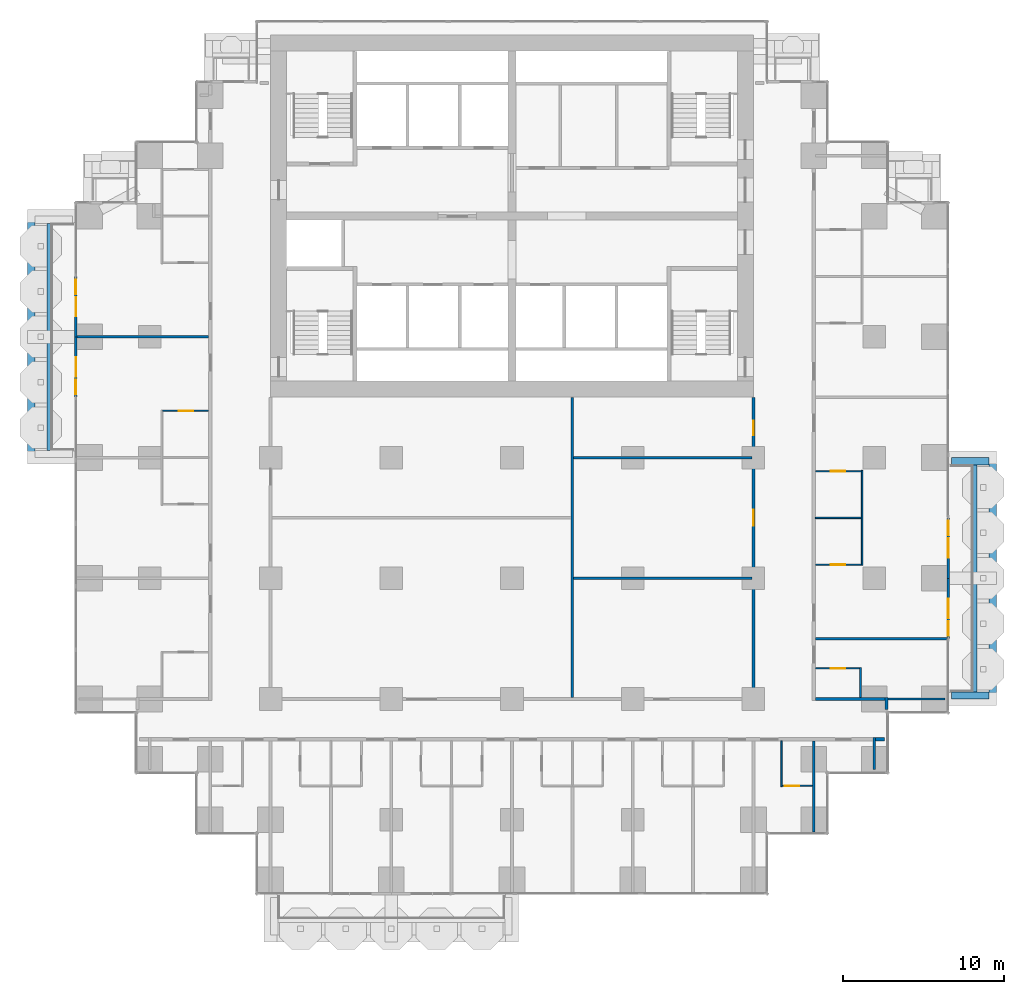
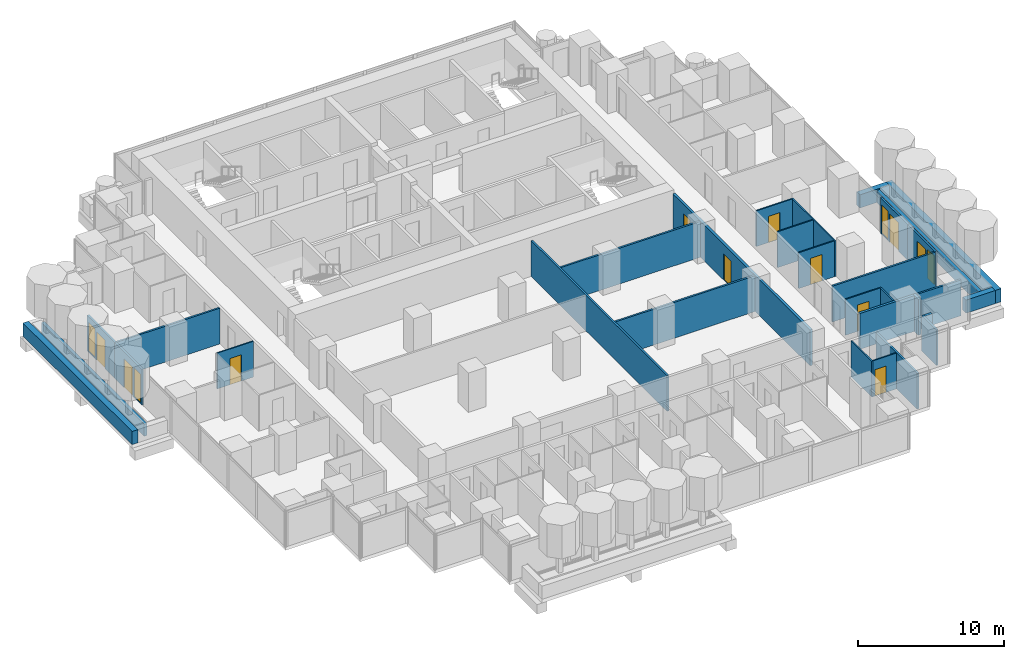
# One storey, part 11 of 17: 31 walls, 11 doors, 4 windows, 15 openings.
"""IFC4 building model written with IfcOpenShell, lengths in metres."""

from ifc_helpers import new_model, si_unit, direction, frame, frame_2d, origin, place, context, subcontext, project, spatial, rectangle, extrude, material, layer, layer_set, type_object, element, fill, save


model = new_model("IFC4")

# Units and contexts
model_context = context("Model", 3, precision=1e-05, world=origin(), true_north=direction((0.0, 1.0)))
body_context = subcontext(model_context, "Body", "Model", "MODEL_VIEW")
ifc_project = project(units=[si_unit("LENGTHUNIT", "METRE"), si_unit("AREAUNIT", "SQUARE_METRE"), si_unit("VOLUMEUNIT", "CUBIC_METRE"), si_unit("PLANEANGLEUNIT", "RADIAN"), si_unit("MASSUNIT", "GRAM", prefix="KILO")], contexts=[model_context])

# Site, building, storey
site_placement = place(None, origin())
site = spatial("IfcSite", under=ifc_project, at=site_placement, CompositionType="ELEMENT")
building_placement = place(site_placement, origin())
building = spatial("IfcBuilding", under=site, at=building_placement, Name="Pilkhan Gate Tower", CompositionType="ELEMENT")
storey_placement = place(building_placement, frame((0.0, 0.0, 49.39990234375)))
storey = spatial("IfcBuildingStorey", under=building, at=storey_placement, Name="L09", CompositionType="ELEMENT", Elevation=49.39990234375)

# Walls
ifc_material_1 = material(Name="Concrete C40/50", Category="concrete")
ifc_layer_1 = layer(ifc_material_1, 0.25)
ifc_layer_set_1 = layer_set([ifc_layer_1], Name="Balcony planter BP250")
wall_type_1 = type_object("IfcWallType", Name="Balcony planter BP250", PredefinedType="USERDEFINED", material=ifc_layer_set_1)
for number, where, z_axis, x_axis, name in (
    (1, (103.77490234375, 52.949951171875, 0.0), (0.0, 0.0, 1.0), (0.0, 1.0, 0.0), "Balcony planter L09 E"),
    (2, (46.22509765625, 67.949951171875, 0.0), (0.0, 0.0, 1.0), (0.0, 1.0, 0.0), "Balcony planter L09 W"),
):
    element("IfcWall", number, at=place(storey_placement, frame(where, z_axis=z_axis, x_axis=x_axis)), inside=storey, type_object=wall_type_1, Name=name, ObjectType="BALCONY PLANTER", PredefinedType="USERDEFINED", context=body_context, shape_type="SweptSolid", body=[
        extrude(rectangle(XDim=14.10009765625, YDim=0.25, at=frame_2d((7.050048828125, 0.0))), origin(), (0.0, 0.0, 1.0), 1.0),
    ])
ifc_material_2 = material(Name="Board-marked Concrete C40/50", Category="concrete")
ifc_layer_2 = layer(ifc_material_2, 0.449951171875)
ifc_layer_set_2 = layer_set([ifc_layer_2], Name="Balcony planter lip BL450")
wall_type_2 = type_object("IfcWallType", Name="Balcony planter lip BL450", PredefinedType="USERDEFINED", material=ifc_layer_set_2)
wall_1_placement = place(storey_placement, frame((104.875, 52.5, 0.0), z_axis=(0.0, 0.0, 1.0), x_axis=(0.0, 1.0, 0.0)))
element("IfcWall", 3, at=wall_1_placement, inside=storey, type_object=wall_type_2, Name="Balcony planter L09 E", ObjectType="BALCONY PLANTER", PredefinedType="USERDEFINED", context=body_context, shape_type="SweptSolid", body=[
    extrude(rectangle(XDim=15.0, YDim=0.449951171875, at=frame_2d((7.5, 0.0))), origin(), (0.0, 0.0, 1.0), 1.10009765625),
])
for number, where, z_axis, x_axis, name in (
    (4, (102.320068359375, 52.72509765625, 0.0), (0.0, 0.0, 1.0), (1.0, 0.0, 0.0), "Balcony planter L09 E"),
    (5, (102.320068359375, 67.27490234375, 0.0), (0.0, 0.0, 1.0), (1.0, 0.0, 0.0), "Balcony planter L09 E"),
):
    element("IfcWall", number, at=place(storey_placement, frame(where, z_axis=z_axis, x_axis=x_axis)), inside=storey, type_object=wall_type_2, Name=name, ObjectType="BALCONY PLANTER", PredefinedType="USERDEFINED", context=body_context, shape_type="SweptSolid", body=[
        extrude(rectangle(XDim=2.329833984375, YDim=0.449951171875, at=frame_2d((1.1650390625, 0.0))), origin(), (0.0, 0.0, 1.0), 1.10009765625),
    ])
wall_2_placement = place(storey_placement, frame((45.125, 67.5, 0.0), z_axis=(0.0, 0.0, 1.0), x_axis=(0.0, 1.0, 0.0)))
element("IfcWall", 6, at=wall_2_placement, inside=storey, type_object=wall_type_2, Name="Balcony planter L09 W", ObjectType="BALCONY PLANTER", PredefinedType="USERDEFINED", context=body_context, shape_type="SweptSolid", body=[
    extrude(rectangle(XDim=15.0, YDim=0.449951171875, at=frame_2d((7.5, 0.0))), origin(), (0.0, 0.0, 1.0), 1.10009765625),
])
ifc_material_3 = material(Name="Dense blockwork", Category="masonry")
ifc_layer_3 = layer(ifc_material_3, 0.199951171875)
ifc_layer_set_3 = layer_set([ifc_layer_3], Name="Corridor wall FW200")
wall_type_3 = type_object("IfcWallType", Name="Corridor wall FW200", PredefinedType="PARTITIONING", material=ifc_layer_set_3)
wall_3_placement = place(storey_placement, frame((97.574951171875, 50.0, 0.0), z_axis=(0.0, 0.0, 1.0), x_axis=(1.0, 0.0, 0.0)))
element("IfcWall", 7, at=wall_3_placement, inside=storey, type_object=wall_type_3, Name="Partition L09", PredefinedType="PARTITIONING", context=body_context, shape_type="SweptSolid", body=[
    extrude(rectangle(XDim=0.570068359375, YDim=0.199951171875, at=frame_2d((0.28515625, 0.0))), origin(), (0.0, 0.0, 1.0), 3.0),
])
wall_4_placement = place(storey_placement, frame((93.85009765625, 52.5, 0.0), z_axis=(0.0, 0.0, 1.0), x_axis=(1.0, 0.0, 0.0)))
element("IfcWall", 8, at=wall_4_placement, inside=storey, type_object=wall_type_3, Name="Partition L09", PredefinedType="PARTITIONING", context=body_context, shape_type="SweptSolid", body=[
    extrude(rectangle(XDim=4.31494140625, YDim=0.199951171875, at=frame_2d((2.157470703125, 0.0))), origin(), (0.0, 0.0, 1.0), 3.0),
])

# Wall, openings, doors
wall_5_placement = place(storey_placement, frame((90.0, 52.39990234375, 0.0), z_axis=(0.0, 0.0, 1.0), x_axis=(0.0, 1.0, 0.0)))
wall_5 = element("IfcWall", 9, at=wall_5_placement, inside=storey, type_object=wall_type_3, Name="Partition L09", PredefinedType="PARTITIONING", context=body_context, shape_type="SweptSolid", body=[
    extrude(rectangle(XDim=18.840087890625, YDim=0.199951171875, at=frame_2d((9.419921875, 0.0))), origin(), (0.0, 0.0, 1.0), 3.0),
])
opening_1_placement = place(wall_5_placement, frame((10.85009765625, 0.0, 0.0)))
opening_1 = element("IfcOpeningElement", 10, at=opening_1_placement, cuts=wall_5, Name="Opening L09-57", PredefinedType="OPENING", context=body_context, shape_type="SweptSolid", body=[
    extrude(rectangle(XDim=1.0, YDim=2.199951171875, at=frame_2d((0.5, 1.10009765625))), frame((0.0, 0.10986328125, 0.0), z_axis=(0.0, -1.0, 0.0), x_axis=(1.0, 0.0, 0.0)), (0.0, 0.0, 1.0), 0.219970703125),
])
opening_2_placement = place(wall_5_placement, frame((16.5, 0.0, 0.0)))
opening_2 = element("IfcOpeningElement", 11, at=opening_2_placement, cuts=wall_5, Name="Opening L09-59", PredefinedType="OPENING", context=body_context, shape_type="SweptSolid", body=[
    extrude(rectangle(XDim=0.89990234375, YDim=2.199951171875, at=frame_2d((0.449951171875, 1.10009765625))), frame((0.0, 0.10986328125, 0.0), z_axis=(0.0, -1.0, 0.0), x_axis=(1.0, 0.0, 0.0)), (0.0, 0.0, 1.0), 0.219970703125),
])
ifc_material_4 = material(Name="Timber flush door, 30 minute fire resisting", Category="wood")
door_type_1 = type_object("IfcDoorType", Name="Room door D03 1000x2200", OperationType="SINGLE_SWING_LEFT", PredefinedType="DOOR", material=ifc_material_4)
door_1_placement = place(opening_1_placement, origin())
door_1 = element("IfcDoor", 12, at=door_1_placement, inside=storey, type_object=door_type_1, Name="Room door", OperationType="SINGLE_SWING_LEFT", OverallHeight=2.199951171875, OverallWidth=1.0, PredefinedType="DOOR", context=body_context, shape_type="SweptSolid", body=[
    extrude(rectangle(XDim=1.0, YDim=2.199951171875, at=frame_2d((0.5, 1.10009765625))), frame((0.0, 0.02490234375, 0.0), z_axis=(0.0, -1.0, 0.0), x_axis=(1.0, 0.0, 0.0)), (0.0, 0.0, 1.0), 0.050048828125),
])
fill(opening_1, door_1)
ifc_material_5 = material(Name="Timber flush door, 60 minute fire resisting, self-closing", Category="wood")
door_type_2 = type_object("IfcDoorType", Name="Store door D05 900x2200", OperationType="SINGLE_SWING_LEFT", PredefinedType="DOOR", material=ifc_material_5)
door_2_placement = place(opening_2_placement, origin())
door_2 = element("IfcDoor", 13, at=door_2_placement, inside=storey, type_object=door_type_2, Name="Store door", OperationType="SINGLE_SWING_LEFT", OverallHeight=2.199951171875, OverallWidth=0.89990234375, PredefinedType="DOOR", context=body_context, shape_type="SweptSolid", body=[
    extrude(rectangle(XDim=0.89990234375, YDim=2.199951171875, at=frame_2d((0.449951171875, 1.10009765625))), frame((0.0, 0.02490234375, 0.0), z_axis=(0.0, -1.0, 0.0), x_axis=(1.0, 0.0, 0.0)), (0.0, 0.0, 1.0), 0.050048828125),
])
fill(opening_2, door_2)

# Wall
wall_6_placement = place(storey_placement, frame((98.264892578125, 51.85498046875, 0.0), z_axis=(0.0, 0.0, 1.0), x_axis=(0.0, 1.0, 0.0)))
element("IfcWall", 14, at=wall_6_placement, inside=storey, type_object=wall_type_3, Name="Partition L09", PredefinedType="PARTITIONING", context=body_context, shape_type="SweptSolid", body=[
    extrude(rectangle(XDim=0.7451171875, YDim=0.199951171875, at=frame_2d((0.37255859375, 0.0))), origin(), (0.0, 0.0, 1.0), 3.0),
])

# Wall, openings, door, window
ifc_material_6 = material(Name="Pale anodised aluminium, clear laminated glazing", Category="aluminium")
ifc_layer_4 = layer(ifc_material_6, 0.14990234375)
ifc_layer_set_4 = layer_set([ifc_layer_4], Name="Facade infill wall IW150")
wall_type_4 = type_object("IfcWallType", Name="Facade infill wall IW150", PredefinedType="SOLIDWALL", material=ifc_layer_set_4)
wall_7_placement = place(storey_placement, frame((102.094970703125, 56.25, 0.0), z_axis=(0.0, 0.0, 1.0), x_axis=(0.0, 1.0, 0.0)))
wall_7 = element("IfcWall", 15, at=wall_7_placement, inside=storey, type_object=wall_type_4, Name="Infill wall L09 E", PredefinedType="SOLIDWALL", context=body_context, shape_type="SweptSolid", body=[
    extrude(rectangle(XDim=3.75, YDim=0.14990234375, at=frame_2d((1.875, 0.0))), origin(), (0.0, 0.0, 1.0), 3.0),
])
opening_3_placement = place(wall_7_placement, frame((0.1875, 0.0, 0.10009765625)))
opening_3 = element("IfcOpeningElement", 16, at=opening_3_placement, cuts=wall_7, Name="Opening W1", PredefinedType="OPENING", context=body_context, shape_type="SweptSolid", body=[
    extrude(rectangle(XDim=0.89990234375, YDim=2.39990234375, at=frame_2d((0.449951171875, 1.199951171875))), frame((0.0, 0.0849609375, 0.0), z_axis=(0.0, -1.0, 0.0), x_axis=(1.0, 0.0, 0.0)), (0.0, 0.0, 1.0), 0.169921875),
])
opening_4_placement = place(wall_7_placement, frame((1.27490234375, 0.0, 0.0)))
opening_4 = element("IfcOpeningElement", 17, at=opening_4_placement, cuts=wall_7, Name="Opening D1", PredefinedType="OPENING", context=body_context, shape_type="SweptSolid", body=[
    extrude(rectangle(XDim=1.199951171875, YDim=2.39990234375, at=frame_2d((0.60009765625, 1.199951171875))), frame((0.0, 0.0849609375, 0.0), z_axis=(0.0, -1.0, 0.0), x_axis=(1.0, 0.0, 0.0)), (0.0, 0.0, 1.0), 0.169921875),
])
ifc_material_7 = material(Name="Pale anodised aluminium, clear glazing", Category="aluminium")
door_type_3 = type_object("IfcDoorType", Name="Balcony door D1 1200x2400", OperationType="SINGLE_SWING_LEFT", PredefinedType="DOOR", material=ifc_material_7)
door_3_placement = place(opening_4_placement, origin())
door_3 = element("IfcDoor", 18, at=door_3_placement, inside=storey, type_object=door_type_3, Name="Balcony door L09", OperationType="SINGLE_SWING_LEFT", OverallHeight=2.39990234375, OverallWidth=1.199951171875, PredefinedType="DOOR", context=body_context, shape_type="SweptSolid", body=[
    extrude(rectangle(XDim=1.199951171875, YDim=2.39990234375, at=frame_2d((0.60009765625, 1.199951171875))), frame((0.0, 0.02490234375, 0.0), z_axis=(0.0, -1.0, 0.0), x_axis=(1.0, 0.0, 0.0)), (0.0, 0.0, 1.0), 0.050048828125),
])
fill(opening_4, door_3)
ifc_material_8 = material(Name="Pale anodised aluminium, clear double glazing", Category="aluminium")
window_type = type_object("IfcWindowType", Name="Window W1 900x2400", PartitioningType="SINGLE_PANEL", PredefinedType="WINDOW", material=ifc_material_8)
window_1_placement = place(opening_3_placement, origin())
window_1 = element("IfcWindow", 19, at=window_1_placement, inside=storey, type_object=window_type, Name="Window L09", OverallHeight=2.39990234375, OverallWidth=0.89990234375, PartitioningType="SINGLE_PANEL", PredefinedType="WINDOW", context=body_context, shape_type="SweptSolid", body=[
    extrude(rectangle(XDim=0.89990234375, YDim=2.39990234375, at=frame_2d((0.449951171875, 1.199951171875))), frame((0.0, 0.030029296875, 0.0), z_axis=(0.0, -1.0, 0.0), x_axis=(1.0, 0.0, 0.0)), (0.0, 0.0, 1.0), 0.06005859375),
])
fill(opening_3, window_1)

wall_8_placement = place(storey_placement, frame((102.094970703125, 60.0, 0.0), z_axis=(0.0, 0.0, 1.0), x_axis=(0.0, 1.0, 0.0)))
wall_8 = element("IfcWall", 20, at=wall_8_placement, inside=storey, type_object=wall_type_4, Name="Infill wall L09 E", PredefinedType="SOLIDWALL", context=body_context, shape_type="SweptSolid", body=[
    extrude(rectangle(XDim=3.75, YDim=0.14990234375, at=frame_2d((1.875, 0.0))), origin(), (0.0, 0.0, 1.0), 3.0),
])
opening_5_placement = place(wall_8_placement, frame((1.27490234375, 0.0, 0.0)))
opening_5 = element("IfcOpeningElement", 21, at=opening_5_placement, cuts=wall_8, Name="Opening D1", PredefinedType="OPENING", context=body_context, shape_type="SweptSolid", body=[
    extrude(rectangle(XDim=1.199951171875, YDim=2.39990234375, at=frame_2d((0.60009765625, 1.199951171875))), frame((0.0, 0.0849609375, 0.0), z_axis=(0.0, -1.0, 0.0), x_axis=(1.0, 0.0, 0.0)), (0.0, 0.0, 1.0), 0.169921875),
])
opening_6_placement = place(wall_8_placement, frame((2.66259765625, 0.0, 0.10009765625)))
opening_6 = element("IfcOpeningElement", 22, at=opening_6_placement, cuts=wall_8, Name="Opening W1", PredefinedType="OPENING", context=body_context, shape_type="SweptSolid", body=[
    extrude(rectangle(XDim=0.89990234375, YDim=2.39990234375, at=frame_2d((0.449951171875, 1.199951171875))), frame((0.0, 0.0849609375, 0.0), z_axis=(0.0, -1.0, 0.0), x_axis=(1.0, 0.0, 0.0)), (0.0, 0.0, 1.0), 0.169921875),
])
door_4_placement = place(opening_5_placement, origin())
door_4 = element("IfcDoor", 23, at=door_4_placement, inside=storey, type_object=door_type_3, Name="Balcony door L09", OperationType="SINGLE_SWING_LEFT", OverallHeight=2.39990234375, OverallWidth=1.199951171875, PredefinedType="DOOR", context=body_context, shape_type="SweptSolid", body=[
    extrude(rectangle(XDim=1.199951171875, YDim=2.39990234375, at=frame_2d((0.60009765625, 1.199951171875))), frame((0.0, 0.02490234375, 0.0), z_axis=(0.0, -1.0, 0.0), x_axis=(1.0, 0.0, 0.0)), (0.0, 0.0, 1.0), 0.050048828125),
])
fill(opening_5, door_4)
window_2_placement = place(opening_6_placement, origin())
window_2 = element("IfcWindow", 24, at=window_2_placement, inside=storey, type_object=window_type, Name="Window L09", OverallHeight=2.39990234375, OverallWidth=0.89990234375, PartitioningType="SINGLE_PANEL", PredefinedType="WINDOW", context=body_context, shape_type="SweptSolid", body=[
    extrude(rectangle(XDim=0.89990234375, YDim=2.39990234375, at=frame_2d((0.449951171875, 1.199951171875))), frame((0.0, 0.030029296875, 0.0), z_axis=(0.0, -1.0, 0.0), x_axis=(1.0, 0.0, 0.0)), (0.0, 0.0, 1.0), 0.06005859375),
])
fill(opening_6, window_2)

wall_9_placement = place(storey_placement, frame((47.905029296875, 71.25, 0.0), z_axis=(0.0, 0.0, 1.0), x_axis=(0.0, 1.0, 0.0)))
wall_9 = element("IfcWall", 25, at=wall_9_placement, inside=storey, type_object=wall_type_4, Name="Infill wall L09 W", PredefinedType="SOLIDWALL", context=body_context, shape_type="SweptSolid", body=[
    extrude(rectangle(XDim=3.75, YDim=0.14990234375, at=frame_2d((1.875, 0.0))), origin(), (0.0, 0.0, 1.0), 3.0),
])
opening_7_placement = place(wall_9_placement, frame((0.1875, 0.0, 0.10009765625)))
opening_7 = element("IfcOpeningElement", 26, at=opening_7_placement, cuts=wall_9, Name="Opening W1", PredefinedType="OPENING", context=body_context, shape_type="SweptSolid", body=[
    extrude(rectangle(XDim=0.89990234375, YDim=2.39990234375, at=frame_2d((0.449951171875, 1.199951171875))), frame((0.0, 0.0849609375, 0.0), z_axis=(0.0, -1.0, 0.0), x_axis=(1.0, 0.0, 0.0)), (0.0, 0.0, 1.0), 0.169921875),
])
opening_8_placement = place(wall_9_placement, frame((1.27490234375, 0.0, 0.0)))
opening_8 = element("IfcOpeningElement", 27, at=opening_8_placement, cuts=wall_9, Name="Opening D1", PredefinedType="OPENING", context=body_context, shape_type="SweptSolid", body=[
    extrude(rectangle(XDim=1.199951171875, YDim=2.39990234375, at=frame_2d((0.60009765625, 1.199951171875))), frame((0.0, 0.0849609375, 0.0), z_axis=(0.0, -1.0, 0.0), x_axis=(1.0, 0.0, 0.0)), (0.0, 0.0, 1.0), 0.169921875),
])
door_5_placement = place(opening_8_placement, origin())
door_5 = element("IfcDoor", 28, at=door_5_placement, inside=storey, type_object=door_type_3, Name="Balcony door L09", OperationType="SINGLE_SWING_LEFT", OverallHeight=2.39990234375, OverallWidth=1.199951171875, PredefinedType="DOOR", context=body_context, shape_type="SweptSolid", body=[
    extrude(rectangle(XDim=1.199951171875, YDim=2.39990234375, at=frame_2d((0.60009765625, 1.199951171875))), frame((0.0, 0.02490234375, 0.0), z_axis=(0.0, -1.0, 0.0), x_axis=(1.0, 0.0, 0.0)), (0.0, 0.0, 1.0), 0.050048828125),
])
fill(opening_8, door_5)
window_3_placement = place(opening_7_placement, origin())
window_3 = element("IfcWindow", 29, at=window_3_placement, inside=storey, type_object=window_type, Name="Window L09", OverallHeight=2.39990234375, OverallWidth=0.89990234375, PartitioningType="SINGLE_PANEL", PredefinedType="WINDOW", context=body_context, shape_type="SweptSolid", body=[
    extrude(rectangle(XDim=0.89990234375, YDim=2.39990234375, at=frame_2d((0.449951171875, 1.199951171875))), frame((0.0, 0.030029296875, 0.0), z_axis=(0.0, -1.0, 0.0), x_axis=(1.0, 0.0, 0.0)), (0.0, 0.0, 1.0), 0.06005859375),
])
fill(opening_7, window_3)

wall_10_placement = place(storey_placement, frame((47.905029296875, 75.0, 0.0), z_axis=(0.0, 0.0, 1.0), x_axis=(0.0, 1.0, 0.0)))
wall_10 = element("IfcWall", 30, at=wall_10_placement, inside=storey, type_object=wall_type_4, Name="Infill wall L09 W", PredefinedType="SOLIDWALL", context=body_context, shape_type="SweptSolid", body=[
    extrude(rectangle(XDim=3.75, YDim=0.14990234375, at=frame_2d((1.875, 0.0))), origin(), (0.0, 0.0, 1.0), 3.0),
])
opening_9_placement = place(wall_10_placement, frame((1.27490234375, 0.0, 0.0)))
opening_9 = element("IfcOpeningElement", 31, at=opening_9_placement, cuts=wall_10, Name="Opening D1", PredefinedType="OPENING", context=body_context, shape_type="SweptSolid", body=[
    extrude(rectangle(XDim=1.199951171875, YDim=2.39990234375, at=frame_2d((0.60009765625, 1.199951171875))), frame((0.0, 0.0849609375, 0.0), z_axis=(0.0, -1.0, 0.0), x_axis=(1.0, 0.0, 0.0)), (0.0, 0.0, 1.0), 0.169921875),
])
opening_10_placement = place(wall_10_placement, frame((2.66259765625, 0.0, 0.10009765625)))
opening_10 = element("IfcOpeningElement", 32, at=opening_10_placement, cuts=wall_10, Name="Opening W1", PredefinedType="OPENING", context=body_context, shape_type="SweptSolid", body=[
    extrude(rectangle(XDim=0.89990234375, YDim=2.39990234375, at=frame_2d((0.449951171875, 1.199951171875))), frame((0.0, 0.0849609375, 0.0), z_axis=(0.0, -1.0, 0.0), x_axis=(1.0, 0.0, 0.0)), (0.0, 0.0, 1.0), 0.169921875),
])
door_6_placement = place(opening_9_placement, origin())
door_6 = element("IfcDoor", 33, at=door_6_placement, inside=storey, type_object=door_type_3, Name="Balcony door L09", OperationType="SINGLE_SWING_LEFT", OverallHeight=2.39990234375, OverallWidth=1.199951171875, PredefinedType="DOOR", context=body_context, shape_type="SweptSolid", body=[
    extrude(rectangle(XDim=1.199951171875, YDim=2.39990234375, at=frame_2d((0.60009765625, 1.199951171875))), frame((0.0, 0.02490234375, 0.0), z_axis=(0.0, -1.0, 0.0), x_axis=(1.0, 0.0, 0.0)), (0.0, 0.0, 1.0), 0.050048828125),
])
fill(opening_9, door_6)
window_4_placement = place(opening_10_placement, origin())
window_4 = element("IfcWindow", 34, at=window_4_placement, inside=storey, type_object=window_type, Name="Window L09", OverallHeight=2.39990234375, OverallWidth=0.89990234375, PartitioningType="SINGLE_PANEL", PredefinedType="WINDOW", context=body_context, shape_type="SweptSolid", body=[
    extrude(rectangle(XDim=0.89990234375, YDim=2.39990234375, at=frame_2d((0.449951171875, 1.199951171875))), frame((0.0, 0.030029296875, 0.0), z_axis=(0.0, -1.0, 0.0), x_axis=(1.0, 0.0, 0.0)), (0.0, 0.0, 1.0), 0.06005859375),
])
fill(opening_10, window_4)

# Walls
ifc_material_9 = material(Name="Blockwork partition, plastered both sides", Category="masonry")
ifc_layer_5 = layer(ifc_material_9, 0.14990234375)
ifc_layer_set_5 = layer_set([ifc_layer_5], Name="Partition PW150")
wall_type_5 = type_object("IfcWallType", Name="Partition PW150", PredefinedType="PARTITIONING", material=ifc_layer_set_5)
wall_11_placement = place(storey_placement, frame((98.364990234375, 52.5, 0.0), z_axis=(0.0, 0.0, 1.0), x_axis=(1.0, 0.0, 0.0)))
element("IfcWall", 35, at=wall_11_placement, inside=storey, type_object=wall_type_5, Name="Partition L09", PredefinedType="PARTITIONING", context=body_context, shape_type="SweptSolid", body=[
    extrude(rectangle(XDim=3.530029296875, YDim=0.14990234375, at=frame_2d((1.76513671875, 0.0))), origin(), (0.0, 0.0, 1.0), 3.0),
])
wall_12_placement = place(storey_placement, frame((93.85009765625, 56.25, 0.0), z_axis=(0.0, 0.0, 1.0), x_axis=(1.0, 0.0, 0.0)))
element("IfcWall", 36, at=wall_12_placement, inside=storey, type_object=wall_type_5, Name="Partition L09", PredefinedType="PARTITIONING", context=body_context, shape_type="SweptSolid", body=[
    extrude(rectangle(XDim=8.164794921875, YDim=0.14990234375, at=frame_2d((4.08251953125, 0.0))), origin(), (0.0, 0.0, 1.0), 3.0),
])
for number, where, z_axis, x_axis, name in (
    (37, (78.824951171875, 60.0, 0.0), (0.0, 0.0, 1.0), (1.0, 0.0, 0.0), "Partition L09"),
    (38, (78.824951171875, 67.5, 0.0), (0.0, 0.0, 1.0), (1.0, 0.0, 0.0), "Partition L09"),
):
    element("IfcWall", number, at=place(storey_placement, frame(where, z_axis=z_axis, x_axis=x_axis)), inside=storey, type_object=wall_type_5, Name=name, PredefinedType="PARTITIONING", context=body_context, shape_type="SweptSolid", body=[
        extrude(rectangle(XDim=11.074951171875, YDim=0.14990234375, at=frame_2d((5.53759765625, 0.0))), origin(), (0.0, 0.0, 1.0), 3.0),
    ])
wall_13_placement = place(storey_placement, frame((47.985107421875, 75.0, 0.0), z_axis=(0.0, 0.0, 1.0), x_axis=(1.0, 0.0, 0.0)))
element("IfcWall", 39, at=wall_13_placement, inside=storey, type_object=wall_type_5, Name="Partition L09", PredefinedType="PARTITIONING", context=body_context, shape_type="SweptSolid", body=[
    extrude(rectangle(XDim=8.164794921875, YDim=0.14990234375, at=frame_2d((4.08251953125, 0.0))), origin(), (0.0, 0.0, 1.0), 3.0),
])
wall_14_placement = place(storey_placement, frame((78.75, 52.60009765625, 0.0), z_axis=(0.0, 0.0, 1.0), x_axis=(0.0, 1.0, 0.0)))
element("IfcWall", 40, at=wall_14_placement, inside=storey, type_object=wall_type_5, Name="Partition L09", PredefinedType="PARTITIONING", context=body_context, shape_type="SweptSolid", body=[
    extrude(rectangle(XDim=18.639892578125, YDim=0.14990234375, at=frame_2d((9.31982421875, 0.0))), origin(), (0.0, 0.0, 1.0), 3.0),
])
wall_15_placement = place(storey_placement, frame((93.75, 44.235107421875, 0.0), z_axis=(0.0, 0.0, 1.0), x_axis=(0.0, 1.0, 0.0)))
element("IfcWall", 41, at=wall_15_placement, inside=storey, type_object=wall_type_5, Name="Partition L09", PredefinedType="PARTITIONING", context=body_context, shape_type="SweptSolid", body=[
    extrude(rectangle(XDim=5.664794921875, YDim=0.14990234375, at=frame_2d((2.83251953125, 0.0))), origin(), (0.0, 0.0, 1.0), 3.0),
])
wall_16_placement = place(storey_placement, frame((97.5, 48.10498046875, 0.0), z_axis=(0.0, 0.0, 1.0), x_axis=(0.0, 1.0, 0.0)))
element("IfcWall", 42, at=wall_16_placement, inside=storey, type_object=wall_type_5, Name="Partition L09", PredefinedType="PARTITIONING", context=body_context, shape_type="SweptSolid", body=[
    extrude(rectangle(XDim=1.9951171875, YDim=0.14990234375, at=frame_2d((0.99755859375, 0.0))), origin(), (0.0, 0.0, 1.0), 3.0),
])

# Wall, opening, door
ifc_material_10 = material(Name="Moisture resistant board, tiled")
ifc_layer_6 = layer(ifc_material_10, 0.10009765625)
ifc_layer_set_6 = layer_set([ifc_layer_6], Name="Wet wall PW100")
wall_type_6 = type_object("IfcWallType", Name="Wet wall PW100", PredefinedType="PARTITIONING", material=ifc_layer_set_6)
wall_17_placement = place(storey_placement, frame((91.800048828125, 47.10009765625, 0.0), z_axis=(0.0, 0.0, 1.0), x_axis=(1.0, 0.0, 0.0)))
wall_17 = element("IfcWall", 43, at=wall_17_placement, inside=storey, type_object=wall_type_6, Name="Partition L09", PredefinedType="PARTITIONING", context=body_context, shape_type="SweptSolid", body=[
    extrude(rectangle(XDim=1.875, YDim=0.10009765625, at=frame_2d((0.9375, 0.0))), origin(), (0.0, 0.0, 1.0), 3.0),
])
opening_11_placement = place(wall_17_placement, frame((0.14990234375, 0.0, 0.0)))
opening_11 = element("IfcOpeningElement", 44, at=opening_11_placement, cuts=wall_17, Name="Opening L09-25", PredefinedType="OPENING", context=body_context, shape_type="SweptSolid", body=[
    extrude(rectangle(XDim=0.89990234375, YDim=2.199951171875, at=frame_2d((0.449951171875, 1.10009765625))), frame((0.0, 0.06005859375, 0.0), z_axis=(0.0, -1.0, 0.0), x_axis=(1.0, 0.0, 0.0)), (0.0, 0.0, 1.0), 0.1201171875),
])
ifc_material_11 = material(Name="Timber flush door", Category="wood")
door_type_4 = type_object("IfcDoorType", Name="Bathroom door D02 900x2200", OperationType="SINGLE_SWING_RIGHT", PredefinedType="DOOR", material=ifc_material_11)
door_7_placement = place(opening_11_placement, origin())
door_7 = element("IfcDoor", 45, at=door_7_placement, inside=storey, type_object=door_type_4, Name="Bathroom door", OperationType="SINGLE_SWING_RIGHT", OverallHeight=2.199951171875, OverallWidth=0.89990234375, PredefinedType="DOOR", context=body_context, shape_type="SweptSolid", body=[
    extrude(rectangle(XDim=0.89990234375, YDim=2.199951171875, at=frame_2d((0.449951171875, 1.10009765625))), frame((0.0, 0.02490234375, 0.0), z_axis=(0.0, -1.0, 0.0), x_axis=(1.0, 0.0, 0.0)), (0.0, 0.0, 1.0), 0.050048828125),
])
fill(opening_11, door_7)

wall_18_placement = place(storey_placement, frame((93.85009765625, 54.39990234375, 0.0), z_axis=(0.0, 0.0, 1.0), x_axis=(1.0, 0.0, 0.0)))
wall_18 = element("IfcWall", 46, at=wall_18_placement, inside=storey, type_object=wall_type_6, Name="Partition L09", PredefinedType="PARTITIONING", context=body_context, shape_type="SweptSolid", body=[
    extrude(rectangle(XDim=2.75, YDim=0.10009765625, at=frame_2d((1.375, 0.0))), origin(), (0.0, 0.0, 1.0), 3.0),
])
opening_12_placement = place(wall_18_placement, frame((0.949951171875, 0.0, 0.0)))
opening_12 = element("IfcOpeningElement", 47, at=opening_12_placement, cuts=wall_18, Name="Opening L09-37", PredefinedType="OPENING", context=body_context, shape_type="SweptSolid", body=[
    extrude(rectangle(XDim=0.89990234375, YDim=2.199951171875, at=frame_2d((0.449951171875, 1.10009765625))), frame((0.0, 0.06005859375, 0.0), z_axis=(0.0, -1.0, 0.0), x_axis=(1.0, 0.0, 0.0)), (0.0, 0.0, 1.0), 0.1201171875),
])
door_8_placement = place(opening_12_placement, origin())
door_8 = element("IfcDoor", 48, at=door_8_placement, inside=storey, type_object=door_type_4, Name="Bathroom door", OperationType="SINGLE_SWING_RIGHT", OverallHeight=2.199951171875, OverallWidth=0.89990234375, PredefinedType="DOOR", context=body_context, shape_type="SweptSolid", body=[
    extrude(rectangle(XDim=0.89990234375, YDim=2.199951171875, at=frame_2d((0.449951171875, 1.10009765625))), frame((0.0, 0.02490234375, 0.0), z_axis=(0.0, -1.0, 0.0), x_axis=(1.0, 0.0, 0.0)), (0.0, 0.0, 1.0), 0.050048828125),
])
fill(opening_12, door_8)

wall_19_placement = place(storey_placement, frame((93.85009765625, 60.85009765625, 0.0), z_axis=(0.0, 0.0, 1.0), x_axis=(1.0, 0.0, 0.0)))
wall_19 = element("IfcWall", 49, at=wall_19_placement, inside=storey, type_object=wall_type_6, Name="Partition L09", PredefinedType="PARTITIONING", context=body_context, shape_type="SweptSolid", body=[
    extrude(rectangle(XDim=2.849853515625, YDim=0.10009765625, at=frame_2d((1.4248046875, 0.0))), origin(), (0.0, 0.0, 1.0), 3.0),
])
opening_13_placement = place(wall_19_placement, frame((0.949951171875, 0.0, 0.0)))
opening_13 = element("IfcOpeningElement", 50, at=opening_13_placement, cuts=wall_19, Name="Opening L09-39", PredefinedType="OPENING", context=body_context, shape_type="SweptSolid", body=[
    extrude(rectangle(XDim=0.89990234375, YDim=2.199951171875, at=frame_2d((0.449951171875, 1.10009765625))), frame((0.0, 0.06005859375, 0.0), z_axis=(0.0, -1.0, 0.0), x_axis=(1.0, 0.0, 0.0)), (0.0, 0.0, 1.0), 0.1201171875),
])
door_9_placement = place(opening_13_placement, origin())
door_9 = element("IfcDoor", 51, at=door_9_placement, inside=storey, type_object=door_type_4, Name="Bathroom door", OperationType="SINGLE_SWING_RIGHT", OverallHeight=2.199951171875, OverallWidth=0.89990234375, PredefinedType="DOOR", context=body_context, shape_type="SweptSolid", body=[
    extrude(rectangle(XDim=0.89990234375, YDim=2.199951171875, at=frame_2d((0.449951171875, 1.10009765625))), frame((0.0, 0.02490234375, 0.0), z_axis=(0.0, -1.0, 0.0), x_axis=(1.0, 0.0, 0.0)), (0.0, 0.0, 1.0), 0.050048828125),
])
fill(opening_13, door_9)

# Wall
wall_20_placement = place(storey_placement, frame((93.85009765625, 63.75, 0.0), z_axis=(0.0, 0.0, 1.0), x_axis=(1.0, 0.0, 0.0)))
element("IfcWall", 52, at=wall_20_placement, inside=storey, type_object=wall_type_6, Name="Partition L09", PredefinedType="PARTITIONING", context=body_context, shape_type="SweptSolid", body=[
    extrude(rectangle(XDim=2.849853515625, YDim=0.10009765625, at=frame_2d((1.4248046875, 0.0))), origin(), (0.0, 0.0, 1.0), 3.0),
])

# Wall, opening, door
wall_21_placement = place(storey_placement, frame((93.85009765625, 66.64990234375, 0.0), z_axis=(0.0, 0.0, 1.0), x_axis=(1.0, 0.0, 0.0)))
wall_21 = element("IfcWall", 53, at=wall_21_placement, inside=storey, type_object=wall_type_6, Name="Partition L09", PredefinedType="PARTITIONING", context=body_context, shape_type="SweptSolid", body=[
    extrude(rectangle(XDim=2.849853515625, YDim=0.10009765625, at=frame_2d((1.4248046875, 0.0))), origin(), (0.0, 0.0, 1.0), 3.0),
])
opening_14_placement = place(wall_21_placement, frame((0.949951171875, 0.0, 0.0)))
opening_14 = element("IfcOpeningElement", 54, at=opening_14_placement, cuts=wall_21, Name="Opening L09-41", PredefinedType="OPENING", context=body_context, shape_type="SweptSolid", body=[
    extrude(rectangle(XDim=0.89990234375, YDim=2.199951171875, at=frame_2d((0.449951171875, 1.10009765625))), frame((0.0, 0.06005859375, 0.0), z_axis=(0.0, -1.0, 0.0), x_axis=(1.0, 0.0, 0.0)), (0.0, 0.0, 1.0), 0.1201171875),
])
door_10_placement = place(opening_14_placement, origin())
door_10 = element("IfcDoor", 55, at=door_10_placement, inside=storey, type_object=door_type_4, Name="Bathroom door", OperationType="SINGLE_SWING_RIGHT", OverallHeight=2.199951171875, OverallWidth=0.89990234375, PredefinedType="DOOR", context=body_context, shape_type="SweptSolid", body=[
    extrude(rectangle(XDim=0.89990234375, YDim=2.199951171875, at=frame_2d((0.449951171875, 1.10009765625))), frame((0.0, 0.02490234375, 0.0), z_axis=(0.0, -1.0, 0.0), x_axis=(1.0, 0.0, 0.0)), (0.0, 0.0, 1.0), 0.050048828125),
])
fill(opening_14, door_10)

wall_22_placement = place(storey_placement, frame((53.300048828125, 70.39990234375, 0.0), z_axis=(0.0, 0.0, 1.0), x_axis=(1.0, 0.0, 0.0)))
wall_22 = element("IfcWall", 56, at=wall_22_placement, inside=storey, type_object=wall_type_6, Name="Partition L09", PredefinedType="PARTITIONING", context=body_context, shape_type="SweptSolid", body=[
    extrude(rectangle(XDim=2.849853515625, YDim=0.10009765625, at=frame_2d((1.4248046875, 0.0))), origin(), (0.0, 0.0, 1.0), 3.0),
])
opening_15_placement = place(wall_22_placement, frame((1.0, 0.0, 0.0)))
opening_15 = element("IfcOpeningElement", 57, at=opening_15_placement, cuts=wall_22, Name="Opening L09-31", PredefinedType="OPENING", context=body_context, shape_type="SweptSolid", body=[
    extrude(rectangle(XDim=0.89990234375, YDim=2.199951171875, at=frame_2d((0.449951171875, 1.10009765625))), frame((0.0, 0.06005859375, 0.0), z_axis=(0.0, -1.0, 0.0), x_axis=(1.0, 0.0, 0.0)), (0.0, 0.0, 1.0), 0.1201171875),
])
door_11_placement = place(opening_15_placement, origin())
door_11 = element("IfcDoor", 58, at=door_11_placement, inside=storey, type_object=door_type_4, Name="Bathroom door", OperationType="SINGLE_SWING_RIGHT", OverallHeight=2.199951171875, OverallWidth=0.89990234375, PredefinedType="DOOR", context=body_context, shape_type="SweptSolid", body=[
    extrude(rectangle(XDim=0.89990234375, YDim=2.199951171875, at=frame_2d((0.449951171875, 1.10009765625))), frame((0.0, 0.02490234375, 0.0), z_axis=(0.0, -1.0, 0.0), x_axis=(1.0, 0.0, 0.0)), (0.0, 0.0, 1.0), 0.050048828125),
])
fill(opening_15, door_11)

# Walls
wall_23_placement = place(storey_placement, frame((91.75, 47.050048828125, 0.0), z_axis=(0.0, 0.0, 1.0), x_axis=(0.0, 1.0, 0.0)))
element("IfcWall", 59, at=wall_23_placement, inside=storey, type_object=wall_type_6, Name="Partition L09", PredefinedType="PARTITIONING", context=body_context, shape_type="SweptSolid", body=[
    extrude(rectangle(XDim=2.849853515625, YDim=0.10009765625, at=frame_2d((1.4248046875, 0.0))), origin(), (0.0, 0.0, 1.0), 3.0),
])
wall_24_placement = place(storey_placement, frame((96.64990234375, 52.60009765625, 0.0), z_axis=(0.0, 0.0, 1.0), x_axis=(0.0, 1.0, 0.0)))
element("IfcWall", 60, at=wall_24_placement, inside=storey, type_object=wall_type_6, Name="Partition L09", PredefinedType="PARTITIONING", context=body_context, shape_type="SweptSolid", body=[
    extrude(rectangle(XDim=1.849853515625, YDim=0.10009765625, at=frame_2d((0.9248046875, 0.0))), origin(), (0.0, 0.0, 1.0), 3.0),
])
wall_25_placement = place(storey_placement, frame((96.75, 60.800048828125, 0.0), z_axis=(0.0, 0.0, 1.0), x_axis=(0.0, 1.0, 0.0)))
element("IfcWall", 61, at=wall_25_placement, inside=storey, type_object=wall_type_6, Name="Partition L09", PredefinedType="PARTITIONING", context=body_context, shape_type="SweptSolid", body=[
    extrude(rectangle(XDim=5.89990234375, YDim=0.10009765625, at=frame_2d((2.949951171875, 0.0))), origin(), (0.0, 0.0, 1.0), 3.0),
])

save(model, "model.ifc")
